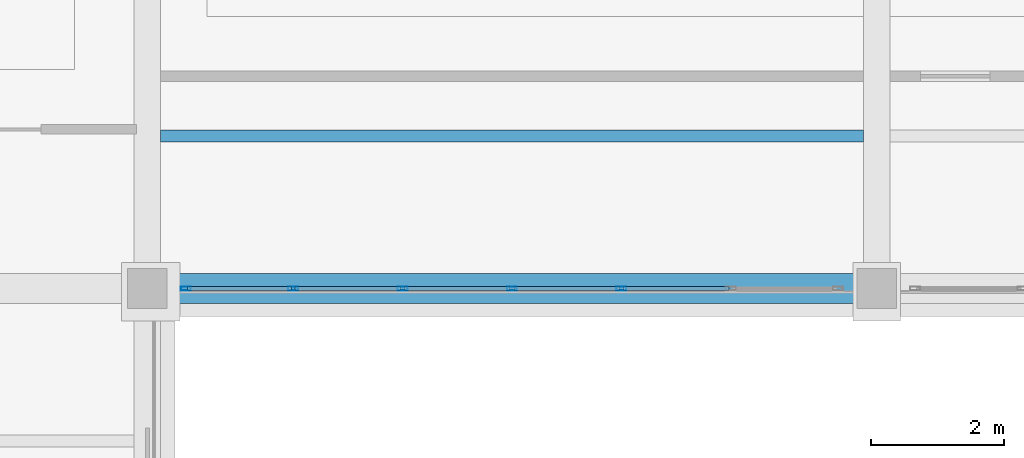
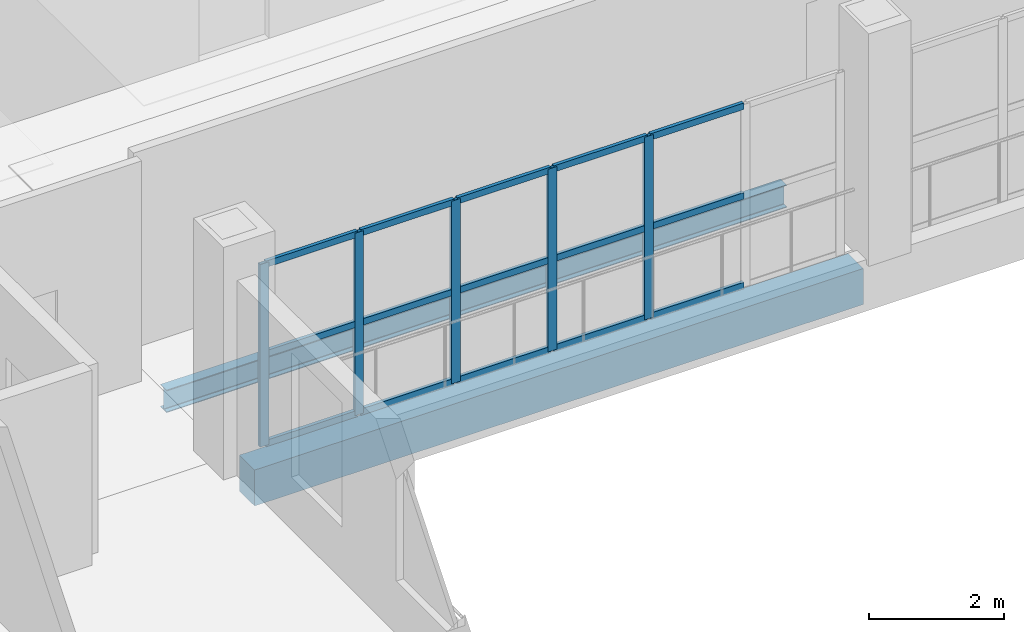
# One storey, part 61 of 120: 20 members, 2 beams, 1 element without a shape of its own.
"""IFC4 building model written with IfcOpenShell, lengths in metres."""

from ifc_helpers import new_model, si_unit, direction, frame, origin, origin_2d, place, context, subcontext, project, spatial, rectangle, hollow_rectangle, i_section, extrude, material, material_profile, profile_set, type_object, element, aggregate, save


model = new_model("IFC4")

# Units and contexts
model_context = context("Model", 3, precision=1e-05, world=origin(), true_north=direction((0.0, 1.0)))
body_context = subcontext(model_context, "Body", "Model", "MODEL_VIEW")
ifc_project = project(units=[si_unit("LENGTHUNIT", "METRE"), si_unit("AREAUNIT", "SQUARE_METRE"), si_unit("VOLUMEUNIT", "CUBIC_METRE"), si_unit("PLANEANGLEUNIT", "RADIAN"), si_unit("MASSUNIT", "GRAM", prefix="KILO")], contexts=[model_context])

# Site, building, storey
site_placement = place(None, origin())
site = spatial("IfcSite", under=ifc_project, at=site_placement, CompositionType="ELEMENT")
building_placement = place(site_placement, origin())
building = spatial("IfcBuilding", under=site, at=building_placement, Name="Caurita Quay Ferry Terminal", CompositionType="ELEMENT")
storey_placement = place(building_placement, frame((0.0, 0.0, 9.89990234375)))
storey = spatial("IfcBuildingStorey", under=building, at=storey_placement, Name="L02", CompositionType="ELEMENT", Elevation=9.89990234375)

# Beams
ifc_material_1 = material(Name="Structural steel ASTM A992 Gr. 50", Category="steel")
ifc_material_profile_1 = material_profile(ifc_material_1, i_section(OverallWidth=0.1787109375, OverallDepth=0.408935546875, WebThickness=0.0087890625, FlangeThickness=0.014404296875, FilletRadius=0.011474609375, at=origin_2d()), Name="W16X45")
ifc_profile_set_1 = profile_set([ifc_material_profile_1], Name="Structural steel ASTM A992 Gr. 50")
beam_type_1 = type_object("IfcBeamType", Name="BM-JS-W16A", PredefinedType="JOIST", material=ifc_profile_set_1)
beam_1_placement = place(storey_placement, frame((22.199951171875, 110.10009765625, -0.42431640625), z_axis=(1.0, 0.0, 0.0), x_axis=(0.0, 1.0, 0.0)))
element("IfcBeam", 1, at=beam_1_placement, inside=storey, type_object=beam_type_1, Name="L02 Beam JS-V5-L02-025", PredefinedType="JOIST", context=body_context, shape_type="SweptSolid", body=[
    extrude(i_section(OverallWidth=0.1787109375, OverallDepth=0.408935546875, WebThickness=0.0087890625, FlangeThickness=0.014404296875, FilletRadius=0.011474609375, at=origin_2d()), origin(), (0.0, 0.0, 1.0), 10.60009765625),
])
ifc_material_2 = material(Name="Reinforced concrete C35/45", Category="concrete")
ifc_material_profile_2 = material_profile(ifc_material_2, rectangle(XDim=0.449951171875, YDim=0.64990234375, at=origin_2d()), Name="RC-BM-450X650")
ifc_profile_set_2 = profile_set([ifc_material_profile_2], Name="Reinforced concrete C35/45")
beam_type_2 = type_object("IfcBeamType", Name="BM-RC-4565", PredefinedType="BEAM", material=ifc_profile_set_2)
beam_2_placement = place(storey_placement, frame((22.297607421875, 107.800048828125, -0.544921875), z_axis=(1.0, 0.0, 0.0), x_axis=(0.0, 1.0, 0.0)))
element("IfcBeam", 2, at=beam_2_placement, inside=storey, type_object=beam_type_2, Name="L02 Beam BM-V5-L02-X-223-1078", PredefinedType="BEAM", context=body_context, shape_type="SweptSolid", body=[
    extrude(rectangle(XDim=0.449951171875, YDim=0.64990234375, at=origin_2d()), origin(), (0.0, 0.0, 1.0), 10.40478515625),
])

# Curtain wall, members
ifc_material_3 = material(Name="Laminated solar-control insulated glass", Category="glass")
curtain_wall_type = type_object("IfcCurtainWallType", Name="CW-SYS-24", PredefinedType="NOTDEFINED", material=ifc_material_3)
curtain_wall_placement = place(storey_placement, origin())
curtain_wall = element("IfcCurtainWall", 3, at=curtain_wall_placement, inside=storey, type_object=curtain_wall_type, Name="L02 Courtyard Cloister Storefront 168", PredefinedType="NOTDEFINED")
ifc_material_4 = material(Name="Anodized aluminium 6063-T6", Category="aluminium")
ifc_material_profile_3 = material_profile(ifc_material_4, hollow_rectangle(XDim=0.06005859375, YDim=0.14990234375, WallThickness=0.00341796875, at=origin_2d()), Name="ALU-MUL-60X150")
ifc_profile_set_3 = profile_set([ifc_material_profile_3], Name="Anodized aluminium 6063-T6")
member_type_1 = type_object("IfcMemberType", Name="CW-MUL-150", PredefinedType="MULLION", material=ifc_profile_set_3)
member_1_placement = place(storey_placement, frame((22.580078125, 107.800048828125, 0.0), z_axis=(0.0, 0.0, 1.0), x_axis=(0.0, 1.0, 0.0)))
member_1 = element("IfcMember", 4, at=member_1_placement, type_object=member_type_1, Name="CW-CRT-168 Mullion 1", PredefinedType="MULLION", context=body_context, shape_type="SweptSolid", body=[
    extrude(hollow_rectangle(XDim=0.06005859375, YDim=0.14990234375, WallThickness=0.00341796875, at=origin_2d()), origin(), (0.0, 0.0, 1.0), 3.300048828125),
])
member_2_placement = place(storey_placement, frame((24.199951171875, 107.800048828125, 0.0), z_axis=(0.0, 0.0, 1.0), x_axis=(0.0, 1.0, 0.0)))
member_2 = element("IfcMember", 5, at=member_2_placement, type_object=member_type_1, Name="CW-CRT-168 Mullion 2", PredefinedType="MULLION", context=body_context, shape_type="SweptSolid", body=[
    extrude(hollow_rectangle(XDim=0.06005859375, YDim=0.14990234375, WallThickness=0.00341796875, at=origin_2d()), origin(), (0.0, 0.0, 1.0), 3.300048828125),
])
member_3_placement = place(storey_placement, frame((25.85009765625, 107.800048828125, 0.0), z_axis=(0.0, 0.0, 1.0), x_axis=(0.0, 1.0, 0.0)))
member_3 = element("IfcMember", 6, at=member_3_placement, type_object=member_type_1, Name="CW-CRT-168 Mullion 3", PredefinedType="MULLION", context=body_context, shape_type="SweptSolid", body=[
    extrude(hollow_rectangle(XDim=0.06005859375, YDim=0.14990234375, WallThickness=0.00341796875, at=origin_2d()), origin(), (0.0, 0.0, 1.0), 3.300048828125),
])
member_4_placement = place(storey_placement, frame((27.5, 107.800048828125, 0.0), z_axis=(0.0, 0.0, 1.0), x_axis=(0.0, 1.0, 0.0)))
member_4 = element("IfcMember", 7, at=member_4_placement, type_object=member_type_1, Name="CW-CRT-168 Mullion 4", PredefinedType="MULLION", context=body_context, shape_type="SweptSolid", body=[
    extrude(hollow_rectangle(XDim=0.06005859375, YDim=0.14990234375, WallThickness=0.00341796875, at=origin_2d()), origin(), (0.0, 0.0, 1.0), 3.300048828125),
])
member_5_placement = place(storey_placement, frame((29.14990234375, 107.800048828125, 0.0), z_axis=(0.0, 0.0, 1.0), x_axis=(0.0, 1.0, 0.0)))
member_5 = element("IfcMember", 8, at=member_5_placement, type_object=member_type_1, Name="CW-CRT-168 Mullion 5", PredefinedType="MULLION", context=body_context, shape_type="SweptSolid", body=[
    extrude(hollow_rectangle(XDim=0.06005859375, YDim=0.14990234375, WallThickness=0.00341796875, at=origin_2d()), origin(), (0.0, 0.0, 1.0), 3.300048828125),
])
ifc_material_profile_4 = material_profile(ifc_material_4, hollow_rectangle(XDim=0.06005859375, YDim=0.114990234375, WallThickness=0.00341796875, at=origin_2d()), Name="ALU-TRN-60X115")
ifc_profile_set_4 = profile_set([ifc_material_profile_4], Name="Anodized aluminium 6063-T6")
member_type_2 = type_object("IfcMemberType", Name="CW-TRN-115", PredefinedType="USERDEFINED", material=ifc_profile_set_4)
member_6_placement = place(storey_placement, frame((22.60791015625, 107.800048828125, 0.030029296875), z_axis=(1.0, 0.0, 0.0), x_axis=(0.0, 1.0, 0.0)))
member_6 = element("IfcMember", 9, at=member_6_placement, type_object=member_type_2, Name="CW-CRT-168 Transom 1", ObjectType="TRANSOM", PredefinedType="USERDEFINED", context=body_context, shape_type="SweptSolid", body=[
    extrude(hollow_rectangle(XDim=0.06005859375, YDim=0.114990234375, WallThickness=0.00341796875, at=origin_2d()), origin(), (0.0, 0.0, 1.0), 1.564208984375),
])
member_7_placement = place(storey_placement, frame((22.60791015625, 107.800048828125, 1.650146484375), z_axis=(1.0, 0.0, 0.0), x_axis=(0.0, 1.0, 0.0)))
member_7 = element("IfcMember", 10, at=member_7_placement, type_object=member_type_2, Name="CW-CRT-168 Transom 2", ObjectType="TRANSOM", PredefinedType="USERDEFINED", context=body_context, shape_type="SweptSolid", body=[
    extrude(hollow_rectangle(XDim=0.06005859375, YDim=0.114990234375, WallThickness=0.00341796875, at=origin_2d()), origin(), (0.0, 0.0, 1.0), 1.564208984375),
])
member_8_placement = place(storey_placement, frame((22.60791015625, 107.800048828125, 3.27001953125), z_axis=(1.0, 0.0, 0.0), x_axis=(0.0, 1.0, 0.0)))
member_8 = element("IfcMember", 11, at=member_8_placement, type_object=member_type_2, Name="CW-CRT-168 Transom 3", ObjectType="TRANSOM", PredefinedType="USERDEFINED", context=body_context, shape_type="SweptSolid", body=[
    extrude(hollow_rectangle(XDim=0.06005859375, YDim=0.114990234375, WallThickness=0.00341796875, at=origin_2d()), origin(), (0.0, 0.0, 1.0), 1.564208984375),
])
member_9_placement = place(storey_placement, frame((24.22802734375, 107.800048828125, 0.030029296875), z_axis=(1.0, 0.0, 0.0), x_axis=(0.0, 1.0, 0.0)))
member_9 = element("IfcMember", 12, at=member_9_placement, type_object=member_type_2, Name="CW-CRT-168 Transom 4", ObjectType="TRANSOM", PredefinedType="USERDEFINED", context=body_context, shape_type="SweptSolid", body=[
    extrude(hollow_rectangle(XDim=0.06005859375, YDim=0.114990234375, WallThickness=0.00341796875, at=origin_2d()), origin(), (0.0, 0.0, 1.0), 1.593994140625),
])
member_10_placement = place(storey_placement, frame((24.22802734375, 107.800048828125, 1.650146484375), z_axis=(1.0, 0.0, 0.0), x_axis=(0.0, 1.0, 0.0)))
member_10 = element("IfcMember", 13, at=member_10_placement, type_object=member_type_2, Name="CW-CRT-168 Transom 5", ObjectType="TRANSOM", PredefinedType="USERDEFINED", context=body_context, shape_type="SweptSolid", body=[
    extrude(hollow_rectangle(XDim=0.06005859375, YDim=0.114990234375, WallThickness=0.00341796875, at=origin_2d()), origin(), (0.0, 0.0, 1.0), 1.593994140625),
])
member_11_placement = place(storey_placement, frame((24.22802734375, 107.800048828125, 3.27001953125), z_axis=(1.0, 0.0, 0.0), x_axis=(0.0, 1.0, 0.0)))
member_11 = element("IfcMember", 14, at=member_11_placement, type_object=member_type_2, Name="CW-CRT-168 Transom 6", ObjectType="TRANSOM", PredefinedType="USERDEFINED", context=body_context, shape_type="SweptSolid", body=[
    extrude(hollow_rectangle(XDim=0.06005859375, YDim=0.114990234375, WallThickness=0.00341796875, at=origin_2d()), origin(), (0.0, 0.0, 1.0), 1.593994140625),
])
member_12_placement = place(storey_placement, frame((25.8779296875, 107.800048828125, 0.030029296875), z_axis=(1.0, 0.0, 0.0), x_axis=(0.0, 1.0, 0.0)))
member_12 = element("IfcMember", 15, at=member_12_placement, type_object=member_type_2, Name="CW-CRT-168 Transom 7", ObjectType="TRANSOM", PredefinedType="USERDEFINED", context=body_context, shape_type="SweptSolid", body=[
    extrude(hollow_rectangle(XDim=0.06005859375, YDim=0.114990234375, WallThickness=0.00341796875, at=origin_2d()), origin(), (0.0, 0.0, 1.0), 1.593994140625),
])
member_13_placement = place(storey_placement, frame((25.8779296875, 107.800048828125, 1.650146484375), z_axis=(1.0, 0.0, 0.0), x_axis=(0.0, 1.0, 0.0)))
member_13 = element("IfcMember", 16, at=member_13_placement, type_object=member_type_2, Name="CW-CRT-168 Transom 8", ObjectType="TRANSOM", PredefinedType="USERDEFINED", context=body_context, shape_type="SweptSolid", body=[
    extrude(hollow_rectangle(XDim=0.06005859375, YDim=0.114990234375, WallThickness=0.00341796875, at=origin_2d()), origin(), (0.0, 0.0, 1.0), 1.593994140625),
])
member_14_placement = place(storey_placement, frame((25.8779296875, 107.800048828125, 3.27001953125), z_axis=(1.0, 0.0, 0.0), x_axis=(0.0, 1.0, 0.0)))
member_14 = element("IfcMember", 17, at=member_14_placement, type_object=member_type_2, Name="CW-CRT-168 Transom 9", ObjectType="TRANSOM", PredefinedType="USERDEFINED", context=body_context, shape_type="SweptSolid", body=[
    extrude(hollow_rectangle(XDim=0.06005859375, YDim=0.114990234375, WallThickness=0.00341796875, at=origin_2d()), origin(), (0.0, 0.0, 1.0), 1.593994140625),
])
member_15_placement = place(storey_placement, frame((27.528076171875, 107.800048828125, 0.030029296875), z_axis=(1.0, 0.0, 0.0), x_axis=(0.0, 1.0, 0.0)))
member_15 = element("IfcMember", 18, at=member_15_placement, type_object=member_type_2, Name="CW-CRT-168 Transom 10", ObjectType="TRANSOM", PredefinedType="USERDEFINED", context=body_context, shape_type="SweptSolid", body=[
    extrude(hollow_rectangle(XDim=0.06005859375, YDim=0.114990234375, WallThickness=0.00341796875, at=origin_2d()), origin(), (0.0, 0.0, 1.0), 1.593994140625),
])
member_16_placement = place(storey_placement, frame((27.528076171875, 107.800048828125, 1.650146484375), z_axis=(1.0, 0.0, 0.0), x_axis=(0.0, 1.0, 0.0)))
member_16 = element("IfcMember", 19, at=member_16_placement, type_object=member_type_2, Name="CW-CRT-168 Transom 11", ObjectType="TRANSOM", PredefinedType="USERDEFINED", context=body_context, shape_type="SweptSolid", body=[
    extrude(hollow_rectangle(XDim=0.06005859375, YDim=0.114990234375, WallThickness=0.00341796875, at=origin_2d()), origin(), (0.0, 0.0, 1.0), 1.593994140625),
])
member_17_placement = place(storey_placement, frame((27.528076171875, 107.800048828125, 3.27001953125), z_axis=(1.0, 0.0, 0.0), x_axis=(0.0, 1.0, 0.0)))
member_17 = element("IfcMember", 20, at=member_17_placement, type_object=member_type_2, Name="CW-CRT-168 Transom 12", ObjectType="TRANSOM", PredefinedType="USERDEFINED", context=body_context, shape_type="SweptSolid", body=[
    extrude(hollow_rectangle(XDim=0.06005859375, YDim=0.114990234375, WallThickness=0.00341796875, at=origin_2d()), origin(), (0.0, 0.0, 1.0), 1.593994140625),
])
member_18_placement = place(storey_placement, frame((29.177978515625, 107.800048828125, 0.030029296875), z_axis=(1.0, 0.0, 0.0), x_axis=(0.0, 1.0, 0.0)))
member_18 = element("IfcMember", 21, at=member_18_placement, type_object=member_type_2, Name="CW-CRT-168 Transom 13", ObjectType="TRANSOM", PredefinedType="USERDEFINED", context=body_context, shape_type="SweptSolid", body=[
    extrude(hollow_rectangle(XDim=0.06005859375, YDim=0.114990234375, WallThickness=0.00341796875, at=origin_2d()), origin(), (0.0, 0.0, 1.0), 1.593994140625),
])
member_19_placement = place(storey_placement, frame((29.177978515625, 107.800048828125, 1.650146484375), z_axis=(1.0, 0.0, 0.0), x_axis=(0.0, 1.0, 0.0)))
member_19 = element("IfcMember", 22, at=member_19_placement, type_object=member_type_2, Name="CW-CRT-168 Transom 14", ObjectType="TRANSOM", PredefinedType="USERDEFINED", context=body_context, shape_type="SweptSolid", body=[
    extrude(hollow_rectangle(XDim=0.06005859375, YDim=0.114990234375, WallThickness=0.00341796875, at=origin_2d()), origin(), (0.0, 0.0, 1.0), 1.593994140625),
])
member_20_placement = place(storey_placement, frame((29.177978515625, 107.800048828125, 3.27001953125), z_axis=(1.0, 0.0, 0.0), x_axis=(0.0, 1.0, 0.0)))
member_20 = element("IfcMember", 23, at=member_20_placement, type_object=member_type_2, Name="CW-CRT-168 Transom 15", ObjectType="TRANSOM", PredefinedType="USERDEFINED", context=body_context, shape_type="SweptSolid", body=[
    extrude(hollow_rectangle(XDim=0.06005859375, YDim=0.114990234375, WallThickness=0.00341796875, at=origin_2d()), origin(), (0.0, 0.0, 1.0), 1.593994140625),
])
aggregate(curtain_wall, [member_1, member_2, member_3, member_4, member_5, member_6, member_7, member_8, member_9, member_10, member_11, member_12, member_13, member_14, member_15, member_16, member_17, member_18, member_19, member_20])

save(model, "model.ifc")
